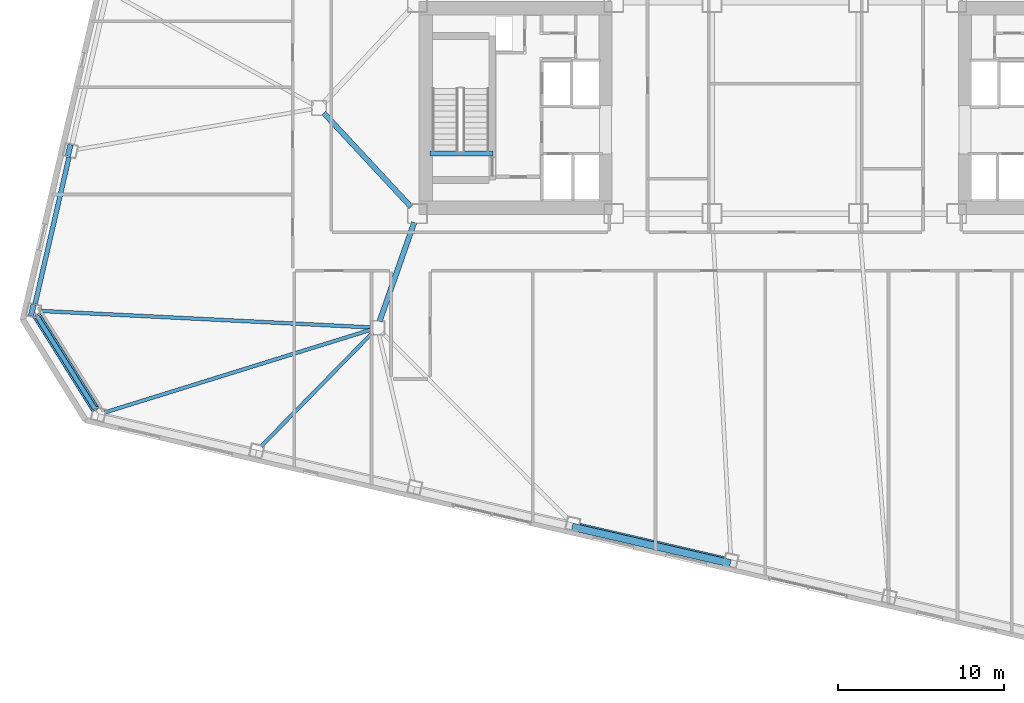
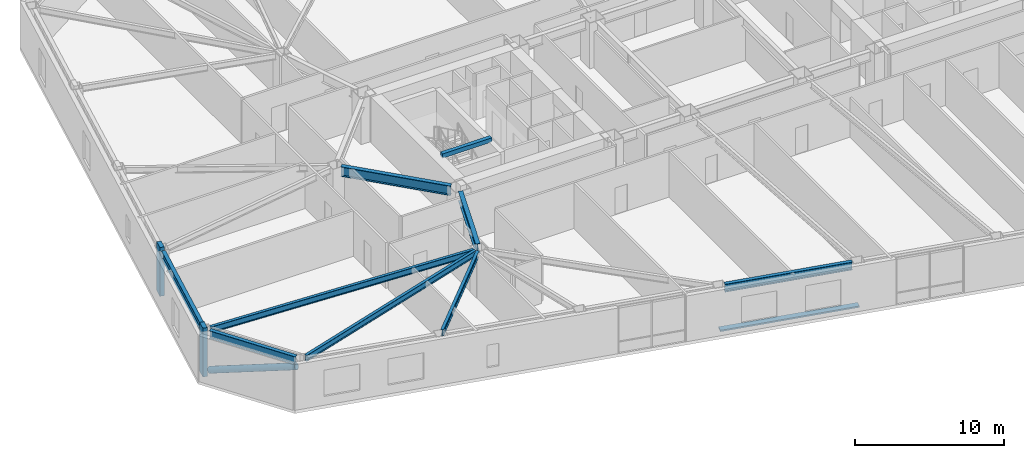
# One storey, part 5 of 21: 9 beams, 4 members.
"""IFC4 building model written with IfcOpenShell, lengths in metres."""

from ifc_helpers import new_model, si_unit, direction, frame, origin, origin_2d, place, context, subcontext, project, spatial, rectangle, hollow_circle, i_section, extrude, material, material_profile, profile_set, type_object, element, save


model = new_model("IFC4")

# Units and contexts
model_context = context("Model", 3, precision=1e-05, world=origin(), true_north=direction((0.0, 1.0)))
body_context = subcontext(model_context, "Body", "Model", "MODEL_VIEW")
ifc_project = project(units=[si_unit("LENGTHUNIT", "METRE"), si_unit("AREAUNIT", "SQUARE_METRE"), si_unit("VOLUMEUNIT", "CUBIC_METRE"), si_unit("PLANEANGLEUNIT", "RADIAN"), si_unit("MASSUNIT", "GRAM", prefix="KILO")], contexts=[model_context])

# Site, building, storey
site_placement = place(None, origin())
site = spatial("IfcSite", under=ifc_project, at=site_placement, CompositionType="ELEMENT")
building_placement = place(site_placement, origin())
building = spatial("IfcBuilding", under=site, at=building_placement, Name="Tavrogorsk Clinical Tower", CompositionType="ELEMENT")
storey_placement = place(building_placement, frame((0.0, 0.0, 71.39990234375)))
storey = spatial("IfcBuildingStorey", under=building, at=storey_placement, Name="L15", CompositionType="ELEMENT", Elevation=71.39990234375)

# Members
ifc_material_1 = material(Name="Anodised aluminium alloy AW-6063", Category="aluminium")
ifc_material_profile_1 = material_profile(ifc_material_1, rectangle(XDim=0.449951171875, YDim=0.1201171875, at=origin_2d()), Name="ALU-SUNSHADE-450x120")
ifc_profile_set_1 = profile_set([ifc_material_profile_1], Name="Anodised aluminium alloy AW-6063")
member_type_1 = type_object("IfcMemberType", Name="ChicagoSunshade_450x120", PredefinedType="USERDEFINED", material=ifc_profile_set_1)
member_1_placement = place(storey_placement, frame((-12.795654296875, -25.16015625, 0.18017578125), z_axis=(0.974366709214, -0.224965588425, 0.0), x_axis=(0.224965588425, 0.974366709214, 0.0)))
element("IfcMember", 1, at=member_1_placement, inside=storey, type_object=member_type_1, Name="L15 South Aluminium Sunshade S4", ObjectType="SUNSHADE", PredefinedType="USERDEFINED", context=body_context, shape_type="SweptSolid", body=[
    extrude(rectangle(XDim=0.449951171875, YDim=0.1201171875, at=origin_2d()), origin(), (0.0, 0.0, 1.0), 9.748779296875),
])
ifc_material_2 = material(Name="Structural steel S440", Category="steel")
ifc_material_profile_2 = material_profile(ifc_material_2, hollow_circle(Radius=0.25390625, WallThickness=0.02001953125, at=origin_2d()), Name="CHS-508x20")
ifc_profile_set_2 = profile_set([ifc_material_profile_2], Name="Structural steel S440")
member_type_2 = type_object("IfcMemberType", Name="ExoBrace_CHS508", PredefinedType="BRACE", material=ifc_profile_set_2)
member_2_placement = place(storey_placement, frame((-44.94580078125, -12.49365234375, 0.442626953125), z_axis=(0.496582474856, -0.794677778576, 0.349131886118), x_axis=(0.84804201203, 0.529929000746, 0.0)))
element("IfcMember", 2, at=member_2_placement, inside=storey, type_object=member_type_2, Name="L15 Corner Exoskeleton Brace W5-S1", PredefinedType="BRACE", context=body_context, shape_type="SweptSolid", body=[
    extrude(hollow_circle(Radius=0.25390625, WallThickness=0.02001953125, at=origin_2d()), origin(), (0.0, 0.0, 1.0), 7.031982421875),
])

# Beams
ifc_material_3 = material(Name="Structural steel S355", Category="steel")
ifc_material_profile_3 = material_profile(ifc_material_3, i_section(OverallWidth=0.219970703125, OverallDepth=0.5, WebThickness=0.012939453125, FlangeThickness=0.02001953125, at=origin_2d()), Name="B-500x220x13x20")
ifc_profile_set_3 = profile_set([ifc_material_profile_3], Name="Structural steel S355")
beam_type_1 = type_object("IfcBeamType", Name="FloorBeam_B500", PredefinedType="BEAM", material=ifc_profile_set_3)
beam_1_placement = place(storey_placement, frame((-24.8916015625, -13.32177734375, 3.489990234375), z_axis=(-0.954946638684, -0.296777555193, 0.0), x_axis=(0.296777555193, -0.954946638684, 0.0)))
element("IfcBeam", 3, at=beam_1_placement, inside=storey, type_object=beam_type_1, Name="L15 Radial Floor Beam S1", PredefinedType="BEAM", context=body_context, shape_type="SweptSolid", body=[
    extrude(i_section(OverallWidth=0.219970703125, OverallDepth=0.5, WebThickness=0.012939453125, FlangeThickness=0.02001953125, at=origin_2d()), origin(), (0.0, 0.0, 1.0), 16.723388671875),
])
beam_2_placement = place(storey_placement, frame((-24.787109375, -13.492919921875, 3.489990234375), z_axis=(-0.699997226081, -0.714145561828, 0.0), x_axis=(0.714145561828, -0.699997226081, 0.0)))
element("IfcBeam", 4, at=beam_2_placement, inside=storey, type_object=beam_type_1, Name="L15 Radial Floor Beam S2", PredefinedType="BEAM", context=body_context, shape_type="SweptSolid", body=[
    extrude(i_section(OverallWidth=0.219970703125, OverallDepth=0.5, WebThickness=0.012939453125, FlangeThickness=0.02001953125, at=origin_2d()), origin(), (0.0, 0.0, 1.0), 9.54248046875),
])
beam_3_placement = place(storey_placement, frame((-24.909423828125, -13.179443359375, 3.489990234375), z_axis=(-0.998757515428, 0.049833978136, 0.0), x_axis=(-0.049833978136, -0.998757515428, 0.0)))
element("IfcBeam", 5, at=beam_3_placement, inside=storey, type_object=beam_type_1, Name="L15 Radial Floor Beam W5", PredefinedType="BEAM", context=body_context, shape_type="SweptSolid", body=[
    extrude(i_section(OverallWidth=0.219970703125, OverallDepth=0.5, WebThickness=0.012939453125, FlangeThickness=0.02001953125, at=origin_2d()), origin(), (0.0, 0.0, 1.0), 19.85595703125),
])

# Members
ifc_material_4 = material(Name="Precast concrete B45 with limestone cladding", Category="masonry")
ifc_material_profile_4 = material_profile(ifc_material_4, rectangle(XDim=0.320068359375, YDim=0.719970703125, at=origin_2d()), Name="LIMESTONE-FIN-320x720")
ifc_profile_set_4 = profile_set([ifc_material_profile_4], Name="Precast concrete B45 with limestone cladding")
member_type_3 = type_object("IfcMemberType", Name="LimestonePleatFin_320x720", PredefinedType="USERDEFINED", material=ifc_profile_set_4)
for number, where, z_axis, x_axis, name in (
    (6, (-43.008056640625, -2.544189453125, 0.0), (0.0, 0.0, 1.0), (0.974370064785, -0.224951054344, 0.0), "L15 W Pleated Stone Fin 3"),
    (7, (-45.226318359375, -12.151611328125, 0.0), (0.0, 0.0, 1.0), (0.974370064785, -0.224951054344, 0.0), "L15 W Pleated Stone Fin 4"),
):
    element("IfcMember", number, at=place(storey_placement, frame(where, z_axis=z_axis, x_axis=x_axis)), inside=storey, type_object=member_type_3, Name=name, ObjectType="FIN", PredefinedType="USERDEFINED", context=body_context, shape_type="SweptSolid", body=[
        extrude(rectangle(XDim=0.320068359375, YDim=0.719970703125, at=origin_2d()), origin(), (0.0, 0.0, 1.0), 4.0),
    ])

# Beams
ifc_material_5 = material(Name="Structural steel S390", Category="steel")
ifc_material_profile_5 = material_profile(ifc_material_5, i_section(OverallWidth=0.320068359375, OverallDepth=0.800048828125, WebThickness=0.02001953125, FlangeThickness=0.033935546875, at=origin_2d()), Name="B-800x320x20x34")
ifc_profile_set_5 = profile_set([ifc_material_profile_5], Name="Structural steel S390")
beam_type_2 = type_object("IfcBeamType", Name="PrimaryGirder_B800", PredefinedType="USERDEFINED", material=ifc_profile_set_5)
beam_4_placement = place(storey_placement, frame((-24.364501953125, -12.81298828125, 3.340087890625), z_axis=(0.330668611543, 0.943746930771, 0.0), x_axis=(-0.943746930771, 0.330668611543, 0.0)))
element("IfcBeam", 8, at=beam_4_placement, inside=storey, type_object=beam_type_2, Name="L15 Spine Link Girder OPG-1", ObjectType="GIRDER", PredefinedType="USERDEFINED", context=body_context, shape_type="SweptSolid", body=[
    extrude(i_section(OverallWidth=0.320068359375, OverallDepth=0.800048828125, WebThickness=0.02001953125, FlangeThickness=0.033935546875, at=origin_2d()), origin(), (0.0, 0.0, 1.0), 6.288330078125),
])
beam_5_placement = place(storey_placement, frame((-27.720947265625, -0.30029296875, 3.340087890625), z_axis=(0.680671250221, -0.732589004233, 0.0), x_axis=(0.732589004233, 0.680671250221, 0.0)))
element("IfcBeam", 9, at=beam_5_placement, inside=storey, type_object=beam_type_2, Name="L15 Spine Link Girder OPG-5", ObjectType="GIRDER", PredefinedType="USERDEFINED", context=body_context, shape_type="SweptSolid", body=[
    extrude(i_section(OverallWidth=0.320068359375, OverallDepth=0.800048828125, WebThickness=0.02001953125, FlangeThickness=0.033935546875, at=origin_2d()), origin(), (0.0, 0.0, 1.0), 7.697998046875),
])
ifc_material_6 = material(Name="Structural steel S390", Category="steel")
ifc_material_profile_6 = material_profile(ifc_material_6, i_section(OverallWidth=0.280029296875, OverallDepth=0.64990234375, WebThickness=0.01611328125, FlangeThickness=0.02490234375, at=origin_2d()), Name="B-650x280x16x25")
ifc_profile_set_6 = profile_set([ifc_material_profile_6], Name="Structural steel S390")
beam_type_3 = type_object("IfcBeamType", Name="SpandrelBeam_B650", PredefinedType="SPANDREL", material=ifc_profile_set_6)
beam_6_placement = place(storey_placement, frame((-12.357666015625, -25.07666015625, 3.4150390625), z_axis=(0.974372766602, -0.224939351168, 0.0), x_axis=(0.224939351168, 0.974372766602, 0.0)))
element("IfcBeam", 10, at=beam_6_placement, inside=storey, type_object=beam_type_3, Name="L15 Perimeter Spandrel S4-S5", PredefinedType="SPANDREL", context=body_context, shape_type="SweptSolid", body=[
    extrude(i_section(OverallWidth=0.280029296875, OverallDepth=0.64990234375, WebThickness=0.01611328125, FlangeThickness=0.02490234375, at=origin_2d()), origin(), (0.0, 0.0, 1.0), 8.9326171875),
])
beam_7_placement = place(storey_placement, frame((-43.02197265625, -2.959716796875, 3.4150390625), z_axis=(-0.224971881043, -0.974365256328, 0.0), x_axis=(0.974365256328, -0.224971881043, 0.0)))
element("IfcBeam", 11, at=beam_7_placement, inside=storey, type_object=beam_type_3, Name="L15 Perimeter Spandrel W4-W5", PredefinedType="SPANDREL", context=body_context, shape_type="SweptSolid", body=[
    extrude(i_section(OverallWidth=0.280029296875, OverallDepth=0.64990234375, WebThickness=0.01611328125, FlangeThickness=0.02490234375, at=origin_2d()), origin(), (0.0, 0.0, 1.0), 9.044189453125),
])
beam_8_placement = place(storey_placement, frame((-44.93212890625, -12.515380859375, 3.4150390625), z_axis=(0.529908311255, -0.848054940238, 0.0), x_axis=(0.848054940238, 0.529908311255, 0.0)))
element("IfcBeam", 12, at=beam_8_placement, inside=storey, type_object=beam_type_3, Name="L15 Perimeter Spandrel W5-S1", PredefinedType="SPANDREL", context=body_context, shape_type="SweptSolid", body=[
    extrude(i_section(OverallWidth=0.280029296875, OverallDepth=0.64990234375, WebThickness=0.01611328125, FlangeThickness=0.02490234375, at=origin_2d()), origin(), (0.0, 0.0, 1.0), 6.5380859375),
])
ifc_material_7 = material(Name="Concrete B60", Category="concrete")
ifc_material_profile_7 = material_profile(ifc_material_7, rectangle(XDim=0.300048828125, YDim=0.35009765625, at=origin_2d()), Name="RC-SHB-300x350")
ifc_profile_set_7 = profile_set([ifc_material_profile_7], Name="Concrete B60")
beam_type_4 = type_object("IfcBeamType", Name="StairHeaderBeam_RC300x350", PredefinedType="BEAM", material=ifc_profile_set_7)
beam_9_placement = place(storey_placement, frame((-21.35009765625, -2.719970703125, 3.8251953125), z_axis=(1.0, 0.0, 0.0), x_axis=(0.0, 1.0, 0.0)))
element("IfcBeam", 13, at=beam_9_placement, inside=storey, type_object=beam_type_4, Name="L16 ST-W Landing Header Beam", PredefinedType="BEAM", context=body_context, shape_type="SweptSolid", body=[
    extrude(rectangle(XDim=0.300048828125, YDim=0.35009765625, at=origin_2d()), origin(), (0.0, 0.0, 1.0), 3.800048828125),
])

save(model, "model.ifc")
